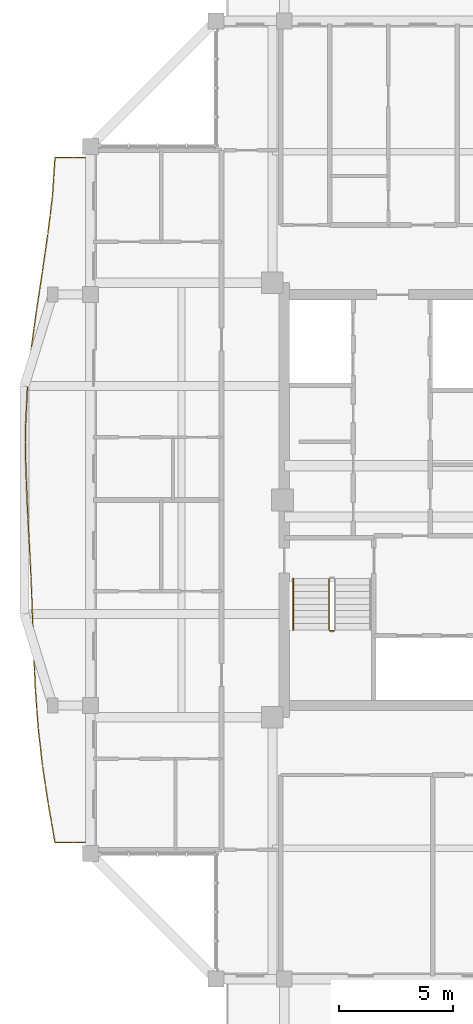
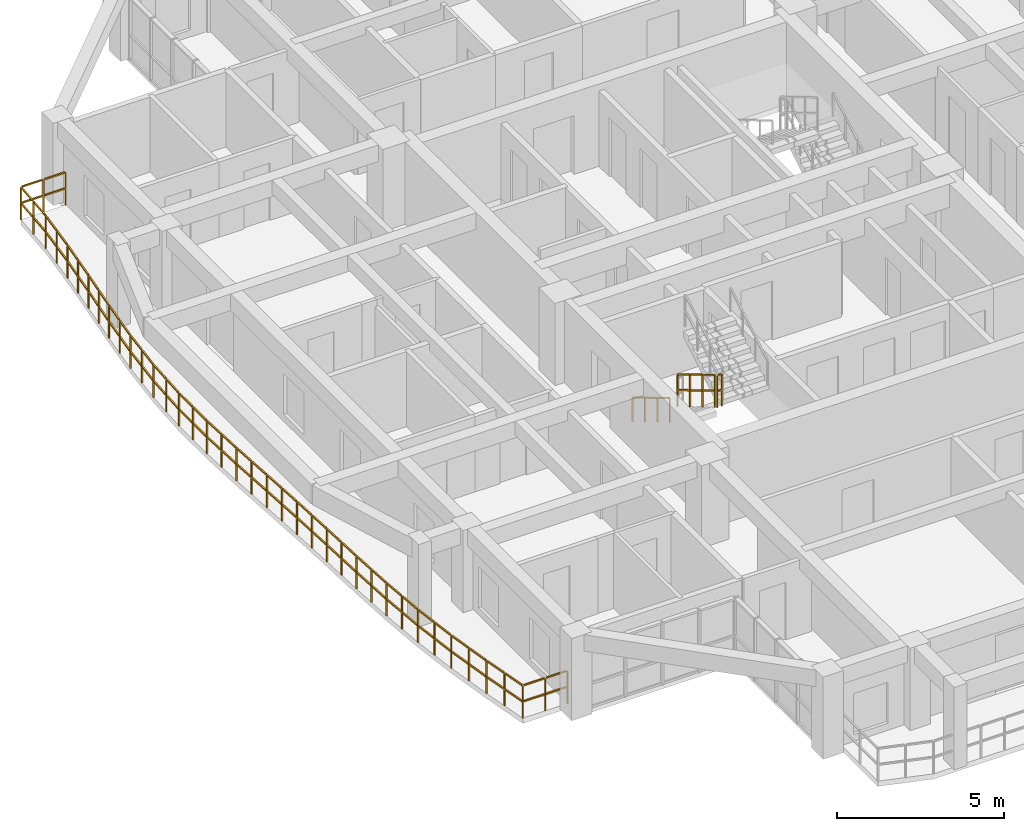
# One storey, part 21 of 24: 4 railings.
"""IFC4 building model written with IfcOpenShell, lengths in metres."""

from ifc_helpers import new_model, si_unit, direction, frame, origin, origin_2d, place, context, subcontext, project, spatial, rectangle, extrude, material, type_object, element, save


model = new_model("IFC4")

# Units and contexts
model_context = context("Model", 3, precision=1e-05, world=origin(), true_north=direction((0.0, 1.0)))
body_context = subcontext(model_context, "Body", "Model", "MODEL_VIEW")
ifc_project = project(units=[si_unit("LENGTHUNIT", "METRE"), si_unit("AREAUNIT", "SQUARE_METRE"), si_unit("VOLUMEUNIT", "CUBIC_METRE"), si_unit("PLANEANGLEUNIT", "RADIAN"), si_unit("MASSUNIT", "GRAM", prefix="KILO")], contexts=[model_context])

# Site, building, storey
site_placement = place(None, origin())
site = spatial("IfcSite", under=ifc_project, at=site_placement, CompositionType="ELEMENT")
building_placement = place(site_placement, origin())
building = spatial("IfcBuilding", under=site, at=building_placement, Name="Saelheon Loggia Tower", CompositionType="ELEMENT")
storey_placement = place(building_placement, frame((0.0, 0.0, 246.0)))
storey = spatial("IfcBuildingStorey", under=building, at=storey_placement, Name="L76", CompositionType="ELEMENT", Elevation=246.0)

# Railings
ifc_material_1 = material(Name="Architectural Precast Concrete and Laminated Glass Guard", Category="concrete")
railing_type_1 = type_object("IfcRailingType", Name="Guard_Loggia_RL_LOG", PredefinedType="BALUSTRADE", material=ifc_material_1)
railing_1_placement = place(storey_placement, frame((23.0, 42.0, 0.0)))
element("IfcRailing", 1, at=railing_1_placement, inside=storey, type_object=railing_type_1, Name="L76 West Loggia Balustrade", PredefinedType="BALUSTRADE", context=body_context, shape_type="SweptSolid", body=[
    extrude(rectangle(XDim=0.048095703125, YDim=0.048095703125, at=origin_2d()), frame((-0.033203125, 0.0, 1.19580078125), z_axis=(-1.0, 0.0, 0.0), x_axis=(0.0, -1.0, 0.0)), (0.0, 0.0, 1.0), 0.70849609375),
    extrude(rectangle(XDim=0.048095703125, YDim=0.048095703125, at=origin_2d()), frame((-0.033203125, 0.0, 0.60986328125), z_axis=(-1.0, 0.0, 0.0), x_axis=(0.0, -1.0, 0.0)), (0.0, 0.0, 1.0), 0.70849609375),
    extrude(rectangle(XDim=0.048095703125, YDim=0.048095703125, at=origin_2d()), frame((-0.808349609375, 0.0, 1.19580078125), z_axis=(-1.0, 0.0, 0.0), x_axis=(0.0, -1.0, 0.0)), (0.0, 0.0, 1.0), 0.70849609375),
    extrude(rectangle(XDim=0.048095703125, YDim=0.048095703125, at=origin_2d()), frame((-0.808349609375, 0.0, 0.60986328125), z_axis=(-1.0, 0.0, 0.0), x_axis=(0.0, -1.0, 0.0)), (0.0, 0.0, 1.0), 0.70849609375),
    extrude(rectangle(XDim=0.048095703125, YDim=0.048095703125, at=origin_2d()), frame((-1.55224609375, -0.033203125, 1.19580078125), z_axis=(-0.064170966116, -0.997938919528, 0.0), x_axis=(0.997938919528, -0.064170966116, 0.0)), (0.0, 0.0, 1.0), 0.7685546875),
    extrude(rectangle(XDim=0.048095703125, YDim=0.048095703125, at=origin_2d()), frame((-1.55224609375, -0.033203125, 0.60986328125), z_axis=(-0.064170966116, -0.997938919528, 0.0), x_axis=(0.997938919528, -0.064170966116, 0.0)), (0.0, 0.0, 1.0), 0.7685546875),
    extrude(rectangle(XDim=0.048095703125, YDim=0.048095703125, at=origin_2d()), frame((-1.605712890625, -0.866455078125, 1.19580078125), z_axis=(-0.064170966116, -0.997938919528, 0.0), x_axis=(0.997938919528, -0.064170966116, 0.0)), (0.0, 0.0, 1.0), 0.7685546875),
    extrude(rectangle(XDim=0.048095703125, YDim=0.048095703125, at=origin_2d()), frame((-1.605712890625, -0.866455078125, 0.60986328125), z_axis=(-0.064170966116, -0.997938919528, 0.0), x_axis=(0.997938919528, -0.064170966116, 0.0)), (0.0, 0.0, 1.0), 0.7685546875),
    extrude(rectangle(XDim=0.048095703125, YDim=0.048095703125, at=origin_2d()), frame((-1.661376953125, -1.69970703125, 1.19580078125), z_axis=(-0.121564580478, -0.992583524331, 0.0), x_axis=(0.992583524331, -0.121564580478, 0.0)), (0.0, 0.0, 1.0), 0.77294921875),
    extrude(rectangle(XDim=0.048095703125, YDim=0.048095703125, at=origin_2d()), frame((-1.661376953125, -1.69970703125, 0.60986328125), z_axis=(-0.121564580478, -0.992583524331, 0.0), x_axis=(0.992583524331, -0.121564580478, 0.0)), (0.0, 0.0, 1.0), 0.77294921875),
    extrude(rectangle(XDim=0.048095703125, YDim=0.048095703125, at=origin_2d()), frame((-1.763427734375, -2.532958984375, 1.19580078125), z_axis=(-0.121564580478, -0.992583524331, 0.0), x_axis=(0.992583524331, -0.121564580478, 0.0)), (0.0, 0.0, 1.0), 0.77294921875),
    extrude(rectangle(XDim=0.048095703125, YDim=0.048095703125, at=origin_2d()), frame((-1.763427734375, -2.532958984375, 0.60986328125), z_axis=(-0.121564580478, -0.992583524331, 0.0), x_axis=(0.992583524331, -0.121564580478, 0.0)), (0.0, 0.0, 1.0), 0.77294921875),
    extrude(rectangle(XDim=0.048095703125, YDim=0.048095703125, at=origin_2d()), frame((-1.8662109375, -3.3662109375, 1.19580078125), z_axis=(-0.143369398541, -0.989669245537, 0.0), x_axis=(0.989669245537, -0.143369398541, 0.0)), (0.0, 0.0, 1.0), 0.775634765625),
    extrude(rectangle(XDim=0.048095703125, YDim=0.048095703125, at=origin_2d()), frame((-1.8662109375, -3.3662109375, 0.60986328125), z_axis=(-0.143369398541, -0.989669245537, 0.0), x_axis=(0.989669245537, -0.143369398541, 0.0)), (0.0, 0.0, 1.0), 0.775634765625),
    extrude(rectangle(XDim=0.048095703125, YDim=0.048095703125, at=origin_2d()), frame((-1.98681640625, -4.199462890625, 1.19580078125), z_axis=(-0.143369398541, -0.989669245537, 0.0), x_axis=(0.989669245537, -0.143369398541, 0.0)), (0.0, 0.0, 1.0), 0.775634765625),
    extrude(rectangle(XDim=0.048095703125, YDim=0.048095703125, at=origin_2d()), frame((-1.98681640625, -4.199462890625, 0.60986328125), z_axis=(-0.143369398541, -0.989669245537, 0.0), x_axis=(0.989669245537, -0.143369398541, 0.0)), (0.0, 0.0, 1.0), 0.775634765625),
    extrude(rectangle(XDim=0.048095703125, YDim=0.048095703125, at=origin_2d()), frame((-2.10791015625, -5.032958984375, 1.19580078125), z_axis=(-0.15059890797, -0.98859494684, 0.0), x_axis=(0.98859494684, -0.15059890797, 0.0)), (0.0, 0.0, 1.0), 0.776611328125),
    extrude(rectangle(XDim=0.048095703125, YDim=0.048095703125, at=origin_2d()), frame((-2.10791015625, -5.032958984375, 0.60986328125), z_axis=(-0.15059890797, -0.98859494684, 0.0), x_axis=(0.98859494684, -0.15059890797, 0.0)), (0.0, 0.0, 1.0), 0.776611328125),
    extrude(rectangle(XDim=0.048095703125, YDim=0.048095703125, at=origin_2d()), frame((-2.23486328125, -5.8662109375, 1.19580078125), z_axis=(-0.15059890797, -0.98859494684, 0.0), x_axis=(0.98859494684, -0.15059890797, 0.0)), (0.0, 0.0, 1.0), 0.776611328125),
    extrude(rectangle(XDim=0.048095703125, YDim=0.048095703125, at=origin_2d()), frame((-2.23486328125, -5.8662109375, 0.60986328125), z_axis=(-0.15059890797, -0.98859494684, 0.0), x_axis=(0.98859494684, -0.15059890797, 0.0)), (0.0, 0.0, 1.0), 0.776611328125),
    extrude(rectangle(XDim=0.048095703125, YDim=0.048095703125, at=origin_2d()), frame((-2.361083984375, -6.69970703125, 1.19580078125), z_axis=(-0.13556658858, -0.990768237309, 0.0), x_axis=(0.990768237309, -0.13556658858, 0.0)), (0.0, 0.0, 1.0), 0.774658203125),
    extrude(rectangle(XDim=0.048095703125, YDim=0.048095703125, at=origin_2d()), frame((-2.361083984375, -6.69970703125, 0.60986328125), z_axis=(-0.13556658858, -0.990768237309, 0.0), x_axis=(0.990768237309, -0.13556658858, 0.0)), (0.0, 0.0, 1.0), 0.774658203125),
    extrude(rectangle(XDim=0.048095703125, YDim=0.048095703125, at=origin_2d()), frame((-2.47509765625, -7.532958984375, 1.19580078125), z_axis=(-0.13556658858, -0.990768237309, 0.0), x_axis=(0.990768237309, -0.13556658858, 0.0)), (0.0, 0.0, 1.0), 0.774658203125),
    extrude(rectangle(XDim=0.048095703125, YDim=0.048095703125, at=origin_2d()), frame((-2.47509765625, -7.532958984375, 0.60986328125), z_axis=(-0.13556658858, -0.990768237309, 0.0), x_axis=(0.990768237309, -0.13556658858, 0.0)), (0.0, 0.0, 1.0), 0.774658203125),
    extrude(rectangle(XDim=0.048095703125, YDim=0.048095703125, at=origin_2d()), frame((-2.587890625, -8.3662109375, 1.19580078125), z_axis=(-0.098681066187, -0.995119112054, 0.0), x_axis=(0.995119112054, -0.098681066187, 0.0)), (0.0, 0.0, 1.0), 0.77099609375),
    extrude(rectangle(XDim=0.048095703125, YDim=0.048095703125, at=origin_2d()), frame((-2.587890625, -8.3662109375, 0.60986328125), z_axis=(-0.098681066187, -0.995119112054, 0.0), x_axis=(0.995119112054, -0.098681066187, 0.0)), (0.0, 0.0, 1.0), 0.77099609375),
    extrude(rectangle(XDim=0.048095703125, YDim=0.048095703125, at=origin_2d()), frame((-2.670654296875, -9.19970703125, 1.19580078125), z_axis=(-0.098681066187, -0.995119112054, 0.0), x_axis=(0.995119112054, -0.098681066187, 0.0)), (0.0, 0.0, 1.0), 0.77099609375),
    extrude(rectangle(XDim=0.048095703125, YDim=0.048095703125, at=origin_2d()), frame((-2.670654296875, -9.19970703125, 0.60986328125), z_axis=(-0.098681066187, -0.995119112054, 0.0), x_axis=(0.995119112054, -0.098681066187, 0.0)), (0.0, 0.0, 1.0), 0.77099609375),
    extrude(rectangle(XDim=0.048095703125, YDim=0.048095703125, at=origin_2d()), frame((-2.751708984375, -10.033203125, 1.19580078125), z_axis=(-0.048864948277, -0.998805394874, 0.0), x_axis=(0.998805394874, -0.048864948277, 0.0)), (0.0, 0.0, 1.0), 0.767822265625),
    extrude(rectangle(XDim=0.048095703125, YDim=0.048095703125, at=origin_2d()), frame((-2.751708984375, -10.033203125, 0.60986328125), z_axis=(-0.048864948277, -0.998805394874, 0.0), x_axis=(0.998805394874, -0.048864948277, 0.0)), (0.0, 0.0, 1.0), 0.767822265625),
    extrude(rectangle(XDim=0.048095703125, YDim=0.048095703125, at=origin_2d()), frame((-2.79248046875, -10.866455078125, 1.19580078125), z_axis=(-0.048864948277, -0.998805394874, 0.0), x_axis=(0.998805394874, -0.048864948277, 0.0)), (0.0, 0.0, 1.0), 0.767822265625),
    extrude(rectangle(XDim=0.048095703125, YDim=0.048095703125, at=origin_2d()), frame((-2.79248046875, -10.866455078125, 0.60986328125), z_axis=(-0.048864948277, -0.998805394874, 0.0), x_axis=(0.998805394874, -0.048864948277, 0.0)), (0.0, 0.0, 1.0), 0.767822265625),
    extrude(rectangle(XDim=0.048095703125, YDim=0.048095703125, at=origin_2d()), frame((-2.83154296875, -11.699951171875, 1.19580078125), z_axis=(0.00029299735, -0.999999957076, 0.0), x_axis=(0.999999957076, 0.00029299735, 0.0)), (0.0, 0.0, 1.0), 0.766845703125),
    extrude(rectangle(XDim=0.048095703125, YDim=0.048095703125, at=origin_2d()), frame((-2.83154296875, -11.699951171875, 0.60986328125), z_axis=(0.00029299735, -0.999999957076, 0.0), x_axis=(0.999999957076, 0.00029299735, 0.0)), (0.0, 0.0, 1.0), 0.766845703125),
    extrude(rectangle(XDim=0.048095703125, YDim=0.048095703125, at=origin_2d()), frame((-2.831298828125, -12.533203125, 1.19580078125), z_axis=(0.00029299735, -0.999999957076, 0.0), x_axis=(0.999999957076, 0.00029299735, 0.0)), (0.0, 0.0, 1.0), 0.766845703125),
    extrude(rectangle(XDim=0.048095703125, YDim=0.048095703125, at=origin_2d()), frame((-2.831298828125, -12.533203125, 0.60986328125), z_axis=(0.00029299735, -0.999999957076, 0.0), x_axis=(0.999999957076, 0.00029299735, 0.0)), (0.0, 0.0, 1.0), 0.766845703125),
    extrude(rectangle(XDim=0.048095703125, YDim=0.048095703125, at=origin_2d()), frame((-2.829833984375, -13.366455078125, 1.19580078125), z_axis=(0.03586383302, -0.999356685814, 0.0), x_axis=(0.999356685814, 0.03586383302, 0.0)), (0.0, 0.0, 1.0), 0.767333984375),
    extrude(rectangle(XDim=0.048095703125, YDim=0.048095703125, at=origin_2d()), frame((-2.829833984375, -13.366455078125, 0.60986328125), z_axis=(0.03586383302, -0.999356685814, 0.0), x_axis=(0.999356685814, 0.03586383302, 0.0)), (0.0, 0.0, 1.0), 0.767333984375),
    extrude(rectangle(XDim=0.048095703125, YDim=0.048095703125, at=origin_2d()), frame((-2.800048828125, -14.199951171875, 1.19580078125), z_axis=(0.03586383302, -0.999356685814, 0.0), x_axis=(0.999356685814, 0.03586383302, 0.0)), (0.0, 0.0, 1.0), 0.767333984375),
    extrude(rectangle(XDim=0.048095703125, YDim=0.048095703125, at=origin_2d()), frame((-2.800048828125, -14.199951171875, 0.60986328125), z_axis=(0.03586383302, -0.999356685814, 0.0), x_axis=(0.999356685814, 0.03586383302, 0.0)), (0.0, 0.0, 1.0), 0.767333984375),
    extrude(rectangle(XDim=0.048095703125, YDim=0.048095703125, at=origin_2d()), frame((-2.76953125, -15.033203125, 1.19580078125), z_axis=(0.051053884449, -0.998695900103, 0.0), x_axis=(0.998695900103, 0.051053884449, 0.0)), (0.0, 0.0, 1.0), 0.76806640625),
    extrude(rectangle(XDim=0.048095703125, YDim=0.048095703125, at=origin_2d()), frame((-2.76953125, -15.033203125, 0.60986328125), z_axis=(0.051053884449, -0.998695900103, 0.0), x_axis=(0.998695900103, 0.051053884449, 0.0)), (0.0, 0.0, 1.0), 0.76806640625),
    extrude(rectangle(XDim=0.048095703125, YDim=0.048095703125, at=origin_2d()), frame((-2.72705078125, -15.866455078125, 1.19580078125), z_axis=(0.051053884449, -0.998695900103, 0.0), x_axis=(0.998695900103, 0.051053884449, 0.0)), (0.0, 0.0, 1.0), 0.76806640625),
    extrude(rectangle(XDim=0.048095703125, YDim=0.048095703125, at=origin_2d()), frame((-2.72705078125, -15.866455078125, 0.60986328125), z_axis=(0.051053884449, -0.998695900103, 0.0), x_axis=(0.998695900103, 0.051053884449, 0.0)), (0.0, 0.0, 1.0), 0.76806640625),
    extrude(rectangle(XDim=0.048095703125, YDim=0.048095703125, at=origin_2d()), frame((-2.684326171875, -16.699951171875, 1.19580078125), z_axis=(0.048872089831, -0.99880504546, 0.0), x_axis=(0.99880504546, 0.048872089831, 0.0)), (0.0, 0.0, 1.0), 0.767822265625),
    extrude(rectangle(XDim=0.048095703125, YDim=0.048095703125, at=origin_2d()), frame((-2.684326171875, -16.699951171875, 0.60986328125), z_axis=(0.048872089831, -0.99880504546, 0.0), x_axis=(0.99880504546, 0.048872089831, 0.0)), (0.0, 0.0, 1.0), 0.767822265625),
    extrude(rectangle(XDim=0.048095703125, YDim=0.048095703125, at=origin_2d()), frame((-2.6435546875, -17.533203125, 1.19580078125), z_axis=(0.048872089831, -0.99880504546, 0.0), x_axis=(0.99880504546, 0.048872089831, 0.0)), (0.0, 0.0, 1.0), 0.767822265625),
    extrude(rectangle(XDim=0.048095703125, YDim=0.048095703125, at=origin_2d()), frame((-2.6435546875, -17.533203125, 0.60986328125), z_axis=(0.048872089831, -0.99880504546, 0.0), x_axis=(0.99880504546, 0.048872089831, 0.0)), (0.0, 0.0, 1.0), 0.767822265625),
    extrude(rectangle(XDim=0.048095703125, YDim=0.048095703125, at=origin_2d()), frame((-2.603271484375, -18.366455078125, 1.19580078125), z_axis=(0.038933399863, -0.99924180776, 0.0), x_axis=(0.99924180776, 0.038933399863, 0.0)), (0.0, 0.0, 1.0), 0.767578125),
    extrude(rectangle(XDim=0.048095703125, YDim=0.048095703125, at=origin_2d()), frame((-2.603271484375, -18.366455078125, 0.60986328125), z_axis=(0.038933399863, -0.99924180776, 0.0), x_axis=(0.99924180776, 0.038933399863, 0.0)), (0.0, 0.0, 1.0), 0.767578125),
    extrude(rectangle(XDim=0.048095703125, YDim=0.048095703125, at=origin_2d()), frame((-2.57080078125, -19.199951171875, 1.19580078125), z_axis=(0.038933399863, -0.99924180776, 0.0), x_axis=(0.99924180776, 0.038933399863, 0.0)), (0.0, 0.0, 1.0), 0.767578125),
    extrude(rectangle(XDim=0.048095703125, YDim=0.048095703125, at=origin_2d()), frame((-2.57080078125, -19.199951171875, 0.60986328125), z_axis=(0.038933399863, -0.99924180776, 0.0), x_axis=(0.99924180776, 0.038933399863, 0.0)), (0.0, 0.0, 1.0), 0.767578125),
    extrude(rectangle(XDim=0.048095703125, YDim=0.048095703125, at=origin_2d()), frame((-2.538330078125, -20.033203125, 1.19580078125), z_axis=(0.034547988495, -0.999403040065, 0.0), x_axis=(0.999403040065, 0.034547988495, 0.0)), (0.0, 0.0, 1.0), 0.767333984375),
    extrude(rectangle(XDim=0.048095703125, YDim=0.048095703125, at=origin_2d()), frame((-2.538330078125, -20.033203125, 0.60986328125), z_axis=(0.034547988495, -0.999403040065, 0.0), x_axis=(0.999403040065, 0.034547988495, 0.0)), (0.0, 0.0, 1.0), 0.767333984375),
    extrude(rectangle(XDim=0.048095703125, YDim=0.048095703125, at=origin_2d()), frame((-2.509521484375, -20.86669921875, 1.19580078125), z_axis=(0.034547988495, -0.999403040065, 0.0), x_axis=(0.999403040065, 0.034547988495, 0.0)), (0.0, 0.0, 1.0), 0.767333984375),
    extrude(rectangle(XDim=0.048095703125, YDim=0.048095703125, at=origin_2d()), frame((-2.509521484375, -20.86669921875, 0.60986328125), z_axis=(0.034547988495, -0.999403040065, 0.0), x_axis=(0.999403040065, 0.034547988495, 0.0)), (0.0, 0.0, 1.0), 0.767333984375),
    extrude(rectangle(XDim=0.048095703125, YDim=0.048095703125, at=origin_2d()), frame((-2.48046875, -21.699951171875, 1.19580078125), z_axis=(0.045221782057, -0.998976971921, 0.0), x_axis=(0.998976971921, 0.045221782057, 0.0)), (0.0, 0.0, 1.0), 0.767578125),
    extrude(rectangle(XDim=0.048095703125, YDim=0.048095703125, at=origin_2d()), frame((-2.48046875, -21.699951171875, 0.60986328125), z_axis=(0.045221782057, -0.998976971921, 0.0), x_axis=(0.998976971921, 0.045221782057, 0.0)), (0.0, 0.0, 1.0), 0.767578125),
    extrude(rectangle(XDim=0.048095703125, YDim=0.048095703125, at=origin_2d()), frame((-2.442626953125, -22.533203125, 1.19580078125), z_axis=(0.045221782057, -0.998976971921, 0.0), x_axis=(0.998976971921, 0.045221782057, 0.0)), (0.0, 0.0, 1.0), 0.767578125),
    extrude(rectangle(XDim=0.048095703125, YDim=0.048095703125, at=origin_2d()), frame((-2.442626953125, -22.533203125, 0.60986328125), z_axis=(0.045221782057, -0.998976971921, 0.0), x_axis=(0.998976971921, 0.045221782057, 0.0)), (0.0, 0.0, 1.0), 0.767578125),
    extrude(rectangle(XDim=0.048095703125, YDim=0.048095703125, at=origin_2d()), frame((-2.404052734375, -23.366455078125, 1.19580078125), z_axis=(0.073624164853, -0.997286058435, 0.0), x_axis=(0.997286058435, 0.073624164853, 0.0)), (0.0, 0.0, 1.0), 0.769287109375),
    extrude(rectangle(XDim=0.048095703125, YDim=0.048095703125, at=origin_2d()), frame((-2.404052734375, -23.366455078125, 0.60986328125), z_axis=(0.073624164853, -0.997286058435, 0.0), x_axis=(0.997286058435, 0.073624164853, 0.0)), (0.0, 0.0, 1.0), 0.769287109375),
    extrude(rectangle(XDim=0.048095703125, YDim=0.048095703125, at=origin_2d()), frame((-2.342529296875, -24.19970703125, 1.19580078125), z_axis=(0.073624164853, -0.997286058435, 0.0), x_axis=(0.997286058435, 0.073624164853, 0.0)), (0.0, 0.0, 1.0), 0.769287109375),
    extrude(rectangle(XDim=0.048095703125, YDim=0.048095703125, at=origin_2d()), frame((-2.342529296875, -24.19970703125, 0.60986328125), z_axis=(0.073624164853, -0.997286058435, 0.0), x_axis=(0.997286058435, 0.073624164853, 0.0)), (0.0, 0.0, 1.0), 0.769287109375),
    extrude(rectangle(XDim=0.048095703125, YDim=0.048095703125, at=origin_2d()), frame((-2.27978515625, -25.032958984375, 1.19580078125), z_axis=(0.112651696568, -0.993634538077, 0.0), x_axis=(0.993634538077, 0.112651696568, 0.0)), (0.0, 0.0, 1.0), 0.772216796875),
    extrude(rectangle(XDim=0.048095703125, YDim=0.048095703125, at=origin_2d()), frame((-2.27978515625, -25.032958984375, 0.60986328125), z_axis=(0.112651696568, -0.993634538077, 0.0), x_axis=(0.993634538077, 0.112651696568, 0.0)), (0.0, 0.0, 1.0), 0.772216796875),
    extrude(rectangle(XDim=0.048095703125, YDim=0.048095703125, at=origin_2d()), frame((-2.185302734375, -25.866455078125, 1.19580078125), z_axis=(0.112651696568, -0.993634538077, 0.0), x_axis=(0.993634538077, 0.112651696568, 0.0)), (0.0, 0.0, 1.0), 0.772216796875),
    extrude(rectangle(XDim=0.048095703125, YDim=0.048095703125, at=origin_2d()), frame((-2.185302734375, -25.866455078125, 0.60986328125), z_axis=(0.112651696568, -0.993634538077, 0.0), x_axis=(0.993634538077, 0.112651696568, 0.0)), (0.0, 0.0, 1.0), 0.772216796875),
    extrude(rectangle(XDim=0.048095703125, YDim=0.048095703125, at=origin_2d()), frame((-2.089599609375, -26.69970703125, 1.19580078125), z_axis=(0.14991264568, -0.98869924581, 0.0), x_axis=(0.98869924581, 0.14991264568, 0.0)), (0.0, 0.0, 1.0), 0.7763671875),
    extrude(rectangle(XDim=0.048095703125, YDim=0.048095703125, at=origin_2d()), frame((-2.089599609375, -26.69970703125, 0.60986328125), z_axis=(0.14991264568, -0.98869924581, 0.0), x_axis=(0.98869924581, 0.14991264568, 0.0)), (0.0, 0.0, 1.0), 0.7763671875),
    extrude(rectangle(XDim=0.048095703125, YDim=0.048095703125, at=origin_2d()), frame((-1.963134765625, -27.532958984375, 1.19580078125), z_axis=(0.14991264568, -0.98869924581, 0.0), x_axis=(0.98869924581, 0.14991264568, 0.0)), (0.0, 0.0, 1.0), 0.7763671875),
    extrude(rectangle(XDim=0.048095703125, YDim=0.048095703125, at=origin_2d()), frame((-1.963134765625, -27.532958984375, 0.60986328125), z_axis=(0.14991264568, -0.98869924581, 0.0), x_axis=(0.98869924581, 0.14991264568, 0.0)), (0.0, 0.0, 1.0), 0.7763671875),
    extrude(rectangle(XDim=0.048095703125, YDim=0.048095703125, at=origin_2d()), frame((-1.836181640625, -28.365966796875, 1.19580078125), z_axis=(0.172418830564, -0.985023729088, 0.0), x_axis=(0.985023729088, 0.172418830564, 0.0)), (0.0, 0.0, 1.0), 0.779541015625),
    extrude(rectangle(XDim=0.048095703125, YDim=0.048095703125, at=origin_2d()), frame((-1.836181640625, -28.365966796875, 0.60986328125), z_axis=(0.172418830564, -0.985023729088, 0.0), x_axis=(0.985023729088, 0.172418830564, 0.0)), (0.0, 0.0, 1.0), 0.779541015625),
    extrude(rectangle(XDim=0.048095703125, YDim=0.048095703125, at=origin_2d()), frame((-1.690185546875, -29.199462890625, 1.19580078125), z_axis=(0.172418830564, -0.985023729088, 0.0), x_axis=(0.985023729088, 0.172418830564, 0.0)), (0.0, 0.0, 1.0), 0.779541015625),
    extrude(rectangle(XDim=0.048095703125, YDim=0.048095703125, at=origin_2d()), frame((-1.690185546875, -29.199462890625, 0.60986328125), z_axis=(0.172418830564, -0.985023729088, 0.0), x_axis=(0.985023729088, 0.172418830564, 0.0)), (0.0, 0.0, 1.0), 0.779541015625),
    extrude(rectangle(XDim=0.048095703125, YDim=0.048095703125, at=origin_2d()), frame((-1.516845703125, -30.0, 1.19580078125), z_axis=(1.0, 0.0, 0.0), x_axis=(0.0, 1.0, 0.0)), (0.0, 0.0, 1.0), 0.70849609375),
    extrude(rectangle(XDim=0.048095703125, YDim=0.048095703125, at=origin_2d()), frame((-1.516845703125, -30.0, 0.60986328125), z_axis=(1.0, 0.0, 0.0), x_axis=(0.0, 1.0, 0.0)), (0.0, 0.0, 1.0), 0.70849609375),
    extrude(rectangle(XDim=0.048095703125, YDim=0.048095703125, at=origin_2d()), frame((-0.74169921875, -30.0, 1.19580078125), z_axis=(1.0, 0.0, 0.0), x_axis=(0.0, 1.0, 0.0)), (0.0, 0.0, 1.0), 0.70849609375),
    extrude(rectangle(XDim=0.048095703125, YDim=0.048095703125, at=origin_2d()), frame((-0.74169921875, -30.0, 0.60986328125), z_axis=(1.0, 0.0, 0.0), x_axis=(0.0, 1.0, 0.0)), (0.0, 0.0, 1.0), 0.70849609375),
    extrude(rectangle(XDim=0.0419921875, YDim=0.0419921875, at=origin_2d()), origin(), (0.0, 0.0, 1.0), 1.16796875),
    extrude(rectangle(XDim=0.0419921875, YDim=0.0419921875, at=origin_2d()), frame((-0.77490234375, 0.0, 0.0)), (0.0, 0.0, 1.0), 1.16796875),
    extrude(rectangle(XDim=0.0419921875, YDim=0.0419921875, at=origin_2d()), frame((-1.550048828125, 0.0, 0.0)), (0.0, 0.0, 1.0), 1.16796875),
    extrude(rectangle(XDim=0.0419921875, YDim=0.0419921875, at=origin_2d()), frame((-1.603515625, -0.83349609375, 0.0)), (0.0, 0.0, 1.0), 1.16796875),
    extrude(rectangle(XDim=0.0419921875, YDim=0.0419921875, at=origin_2d()), frame((-1.6572265625, -1.666748046875, 0.0)), (0.0, 0.0, 1.0), 1.16796875),
    extrude(rectangle(XDim=0.0419921875, YDim=0.0419921875, at=origin_2d()), frame((-1.75927734375, -2.5, 0.0)), (0.0, 0.0, 1.0), 1.16796875),
    extrude(rectangle(XDim=0.0419921875, YDim=0.0419921875, at=origin_2d()), frame((-1.861328125, -3.333251953125, 0.0)), (0.0, 0.0, 1.0), 1.16796875),
    extrude(rectangle(XDim=0.0419921875, YDim=0.0419921875, at=origin_2d()), frame((-1.98193359375, -4.16650390625, 0.0)), (0.0, 0.0, 1.0), 1.16796875),
    extrude(rectangle(XDim=0.0419921875, YDim=0.0419921875, at=origin_2d()), frame((-2.102783203125, -5.0, 0.0)), (0.0, 0.0, 1.0), 1.16796875),
    extrude(rectangle(XDim=0.0419921875, YDim=0.0419921875, at=origin_2d()), frame((-2.229736328125, -5.83349609375, 0.0)), (0.0, 0.0, 1.0), 1.16796875),
    extrude(rectangle(XDim=0.0419921875, YDim=0.0419921875, at=origin_2d()), frame((-2.356689453125, -6.666748046875, 0.0)), (0.0, 0.0, 1.0), 1.16796875),
    extrude(rectangle(XDim=0.0419921875, YDim=0.0419921875, at=origin_2d()), frame((-2.470703125, -7.5, 0.0)), (0.0, 0.0, 1.0), 1.16796875),
    extrude(rectangle(XDim=0.0419921875, YDim=0.0419921875, at=origin_2d()), frame((-2.584716796875, -8.333251953125, 0.0)), (0.0, 0.0, 1.0), 1.16796875),
    extrude(rectangle(XDim=0.0419921875, YDim=0.0419921875, at=origin_2d()), frame((-2.66748046875, -9.16650390625, 0.0)), (0.0, 0.0, 1.0), 1.16796875),
    extrude(rectangle(XDim=0.0419921875, YDim=0.0419921875, at=origin_2d()), frame((-2.75, -10.0, 0.0)), (0.0, 0.0, 1.0), 1.16796875),
    extrude(rectangle(XDim=0.0419921875, YDim=0.0419921875, at=origin_2d()), frame((-2.790771484375, -10.83349609375, 0.0)), (0.0, 0.0, 1.0), 1.16796875),
    extrude(rectangle(XDim=0.0419921875, YDim=0.0419921875, at=origin_2d()), frame((-2.83154296875, -11.666748046875, 0.0)), (0.0, 0.0, 1.0), 1.16796875),
    extrude(rectangle(XDim=0.0419921875, YDim=0.0419921875, at=origin_2d()), frame((-2.831298828125, -12.5, 0.0)), (0.0, 0.0, 1.0), 1.16796875),
    extrude(rectangle(XDim=0.0419921875, YDim=0.0419921875, at=origin_2d()), frame((-2.8310546875, -13.333251953125, 0.0)), (0.0, 0.0, 1.0), 1.16796875),
    extrude(rectangle(XDim=0.0419921875, YDim=0.0419921875, at=origin_2d()), frame((-2.80126953125, -14.16650390625, 0.0)), (0.0, 0.0, 1.0), 1.16796875),
    extrude(rectangle(XDim=0.0419921875, YDim=0.0419921875, at=origin_2d()), frame((-2.771240234375, -15.0, 0.0)), (0.0, 0.0, 1.0), 1.16796875),
    extrude(rectangle(XDim=0.0419921875, YDim=0.0419921875, at=origin_2d()), frame((-2.728515625, -15.83349609375, 0.0)), (0.0, 0.0, 1.0), 1.16796875),
    extrude(rectangle(XDim=0.0419921875, YDim=0.0419921875, at=origin_2d()), frame((-2.68603515625, -16.666748046875, 0.0)), (0.0, 0.0, 1.0), 1.16796875),
    extrude(rectangle(XDim=0.0419921875, YDim=0.0419921875, at=origin_2d()), frame((-2.645263671875, -17.5, 0.0)), (0.0, 0.0, 1.0), 1.16796875),
    extrude(rectangle(XDim=0.0419921875, YDim=0.0419921875, at=origin_2d()), frame((-2.6044921875, -18.333251953125, 0.0)), (0.0, 0.0, 1.0), 1.16796875),
    extrude(rectangle(XDim=0.0419921875, YDim=0.0419921875, at=origin_2d()), frame((-2.572021484375, -19.16650390625, 0.0)), (0.0, 0.0, 1.0), 1.16796875),
    extrude(rectangle(XDim=0.0419921875, YDim=0.0419921875, at=origin_2d()), frame((-2.53955078125, -20.0, 0.0)), (0.0, 0.0, 1.0), 1.16796875),
    extrude(rectangle(XDim=0.0419921875, YDim=0.0419921875, at=origin_2d()), frame((-2.5107421875, -20.83349609375, 0.0)), (0.0, 0.0, 1.0), 1.16796875),
    extrude(rectangle(XDim=0.0419921875, YDim=0.0419921875, at=origin_2d()), frame((-2.48193359375, -21.666748046875, 0.0)), (0.0, 0.0, 1.0), 1.16796875),
    extrude(rectangle(XDim=0.0419921875, YDim=0.0419921875, at=origin_2d()), frame((-2.4443359375, -22.5, 0.0)), (0.0, 0.0, 1.0), 1.16796875),
    extrude(rectangle(XDim=0.0419921875, YDim=0.0419921875, at=origin_2d()), frame((-2.406494140625, -23.333251953125, 0.0)), (0.0, 0.0, 1.0), 1.16796875),
    extrude(rectangle(XDim=0.0419921875, YDim=0.0419921875, at=origin_2d()), frame((-2.344970703125, -24.16650390625, 0.0)), (0.0, 0.0, 1.0), 1.16796875),
    extrude(rectangle(XDim=0.0419921875, YDim=0.0419921875, at=origin_2d()), frame((-2.283447265625, -25.0, 0.0)), (0.0, 0.0, 1.0), 1.16796875),
    extrude(rectangle(XDim=0.0419921875, YDim=0.0419921875, at=origin_2d()), frame((-2.18896484375, -25.83349609375, 0.0)), (0.0, 0.0, 1.0), 1.16796875),
    extrude(rectangle(XDim=0.0419921875, YDim=0.0419921875, at=origin_2d()), frame((-2.094482421875, -26.666748046875, 0.0)), (0.0, 0.0, 1.0), 1.16796875),
    extrude(rectangle(XDim=0.0419921875, YDim=0.0419921875, at=origin_2d()), frame((-1.96826171875, -27.5, 0.0)), (0.0, 0.0, 1.0), 1.16796875),
    extrude(rectangle(XDim=0.0419921875, YDim=0.0419921875, at=origin_2d()), frame((-1.841796875, -28.333251953125, 0.0)), (0.0, 0.0, 1.0), 1.16796875),
    extrude(rectangle(XDim=0.0419921875, YDim=0.0419921875, at=origin_2d()), frame((-1.69580078125, -29.16650390625, 0.0)), (0.0, 0.0, 1.0), 1.16796875),
    extrude(rectangle(XDim=0.0419921875, YDim=0.0419921875, at=origin_2d()), frame((-1.550048828125, -30.0, 0.0)), (0.0, 0.0, 1.0), 1.16796875),
    extrude(rectangle(XDim=0.0419921875, YDim=0.0419921875, at=origin_2d()), frame((-0.77490234375, -30.0, 0.0)), (0.0, 0.0, 1.0), 1.16796875),
    extrude(rectangle(XDim=0.0419921875, YDim=0.0419921875, at=origin_2d()), frame((0.0, -30.0, 0.0)), (0.0, 0.0, 1.0), 1.16796875),
])
ifc_material_2 = material(Name="Galvanised Steel S275 Stairwell Guardrail", Category="steel")
railing_type_2 = type_object("IfcRailingType", Name="Guard_StairWell_RL_STG", PredefinedType="GUARDRAIL", material=ifc_material_2)
railing_2_placement = place(storey_placement, frame((33.4599609375, 23.550048828125, 0.166748046875)))
element("IfcRailing", 2, at=railing_2_placement, inside=storey, type_object=railing_type_2, Name="L76 ST1 stair guard 1", PredefinedType="GUARDRAIL", context=body_context, shape_type="SweptSolid", body=[
    extrude(rectangle(XDim=0.048095703125, YDim=0.048095703125, at=origin_2d()), frame((0.0, -0.028564453125, 1.19287109375), z_axis=(0.0, -0.859305625298, 0.511462454469), x_axis=(1.0, 0.0, 0.0)), (0.0, 0.0, 1.0), 0.802490234375),
    extrude(rectangle(XDim=0.048095703125, YDim=0.048095703125, at=origin_2d()), frame((0.0, -0.028564453125, 0.616943359375), z_axis=(0.0, -0.859305625298, 0.511462454469), x_axis=(1.0, 0.0, 0.0)), (0.0, 0.0, 1.0), 0.802490234375),
    extrude(rectangle(XDim=0.048095703125, YDim=0.048095703125, at=origin_2d()), frame((0.0, -0.775146484375, 1.63720703125), z_axis=(0.0, -0.859305625298, 0.511462454469), x_axis=(1.0, 0.0, 0.0)), (0.0, 0.0, 1.0), 0.802490234375),
    extrude(rectangle(XDim=0.048095703125, YDim=0.048095703125, at=origin_2d()), frame((0.0, -0.775146484375, 1.061279296875), z_axis=(0.0, -0.859305625298, 0.511462454469), x_axis=(1.0, 0.0, 0.0)), (0.0, 0.0, 1.0), 0.802490234375),
    extrude(rectangle(XDim=0.048095703125, YDim=0.048095703125, at=origin_2d()), frame((0.0, -1.52197265625, 2.081787109375), z_axis=(0.0, -0.859305625298, 0.511462454469), x_axis=(1.0, 0.0, 0.0)), (0.0, 0.0, 1.0), 0.802490234375),
    extrude(rectangle(XDim=0.048095703125, YDim=0.048095703125, at=origin_2d()), frame((0.0, -1.52197265625, 1.505859375), z_axis=(0.0, -0.859305625298, 0.511462454469), x_axis=(1.0, 0.0, 0.0)), (0.0, 0.0, 1.0), 0.802490234375),
    extrude(rectangle(XDim=0.0419921875, YDim=0.0419921875, at=origin_2d()), origin(), (0.0, 0.0, 1.0), 1.14794921875),
    extrude(rectangle(XDim=0.0419921875, YDim=0.0419921875, at=origin_2d()), frame((0.0, -0.74658203125, 0.4443359375)), (0.0, 0.0, 1.0), 1.14794921875),
    extrude(rectangle(XDim=0.0419921875, YDim=0.0419921875, at=origin_2d()), frame((0.0, -1.493408203125, 0.888916015625)), (0.0, 0.0, 1.0), 1.14794921875),
    extrude(rectangle(XDim=0.0419921875, YDim=0.0419921875, at=origin_2d()), frame((0.0, -2.239990234375, 1.333251953125)), (0.0, 0.0, 1.0), 1.14794921875),
])
railing_3_placement = place(storey_placement, frame((33.510009765625, 21.260009765625, 1.5)))
element("IfcRailing", 3, at=railing_3_placement, inside=storey, type_object=railing_type_2, Name="L76 ST1 stair guard 2", PredefinedType="GUARDRAIL", context=body_context, shape_type="SweptSolid", body=[
    extrude(rectangle(XDim=0.048095703125, YDim=0.048095703125, at=origin_2d()), frame((0.033203125, 0.0, 1.17578125), z_axis=(1.0, 0.0, 0.0), x_axis=(0.0, 1.0, 0.0)), (0.0, 0.0, 1.0), 0.093505859375),
    extrude(rectangle(XDim=0.048095703125, YDim=0.048095703125, at=origin_2d()), frame((0.033203125, 0.0, 0.60009765625), z_axis=(1.0, 0.0, 0.0), x_axis=(0.0, 1.0, 0.0)), (0.0, 0.0, 1.0), 0.093505859375),
    extrude(rectangle(XDim=0.0419921875, YDim=0.0419921875, at=origin_2d()), origin(), (0.0, 0.0, 1.0), 1.14794921875),
    extrude(rectangle(XDim=0.0419921875, YDim=0.0419921875, at=origin_2d()), frame((0.159912109375, 0.0, 0.0)), (0.0, 0.0, 1.0), 1.14794921875),
])
ifc_material_3 = material(Name="Stainless Steel 304 Tubular Handrail", Category="steel")
railing_type_3 = type_object("IfcRailingType", Name="Handrail_Stair_RL_HR1", PredefinedType="HANDRAIL", material=ifc_material_3)
railing_4_placement = place(storey_placement, frame((31.89990234375, 23.550048828125, 0.166748046875)))
element("IfcRailing", 4, at=railing_4_placement, inside=storey, type_object=railing_type_3, Name="L76 ST1 stair handrail 1", PredefinedType="HANDRAIL", context=body_context, shape_type="SweptSolid", body=[
    extrude(rectangle(XDim=0.048095703125, YDim=0.048095703125, at=origin_2d()), frame((0.0, -0.028564453125, 0.892822265625), z_axis=(0.0, -0.859305625298, 0.511462454469), x_axis=(1.0, 0.0, 0.0)), (0.0, 0.0, 1.0), 0.802490234375),
    extrude(rectangle(XDim=0.048095703125, YDim=0.048095703125, at=origin_2d()), frame((0.0, -0.775146484375, 1.337158203125), z_axis=(0.0, -0.859305625298, 0.511462454469), x_axis=(1.0, 0.0, 0.0)), (0.0, 0.0, 1.0), 0.802490234375),
    extrude(rectangle(XDim=0.048095703125, YDim=0.048095703125, at=origin_2d()), frame((0.0, -1.52197265625, 1.78173828125), z_axis=(0.0, -0.859305625298, 0.511462454469), x_axis=(1.0, 0.0, 0.0)), (0.0, 0.0, 1.0), 0.802490234375),
    extrude(rectangle(XDim=0.0419921875, YDim=0.0419921875, at=origin_2d()), origin(), (0.0, 0.0, 1.0), 0.847900390625),
    extrude(rectangle(XDim=0.0419921875, YDim=0.0419921875, at=origin_2d()), frame((0.0, -0.74658203125, 0.4443359375)), (0.0, 0.0, 1.0), 0.847900390625),
    extrude(rectangle(XDim=0.0419921875, YDim=0.0419921875, at=origin_2d()), frame((0.0, -1.493408203125, 0.888916015625)), (0.0, 0.0, 1.0), 0.847900390625),
    extrude(rectangle(XDim=0.0419921875, YDim=0.0419921875, at=origin_2d()), frame((0.0, -2.239990234375, 1.333251953125)), (0.0, 0.0, 1.0), 0.847900390625),
])

save(model, "model.ifc")
